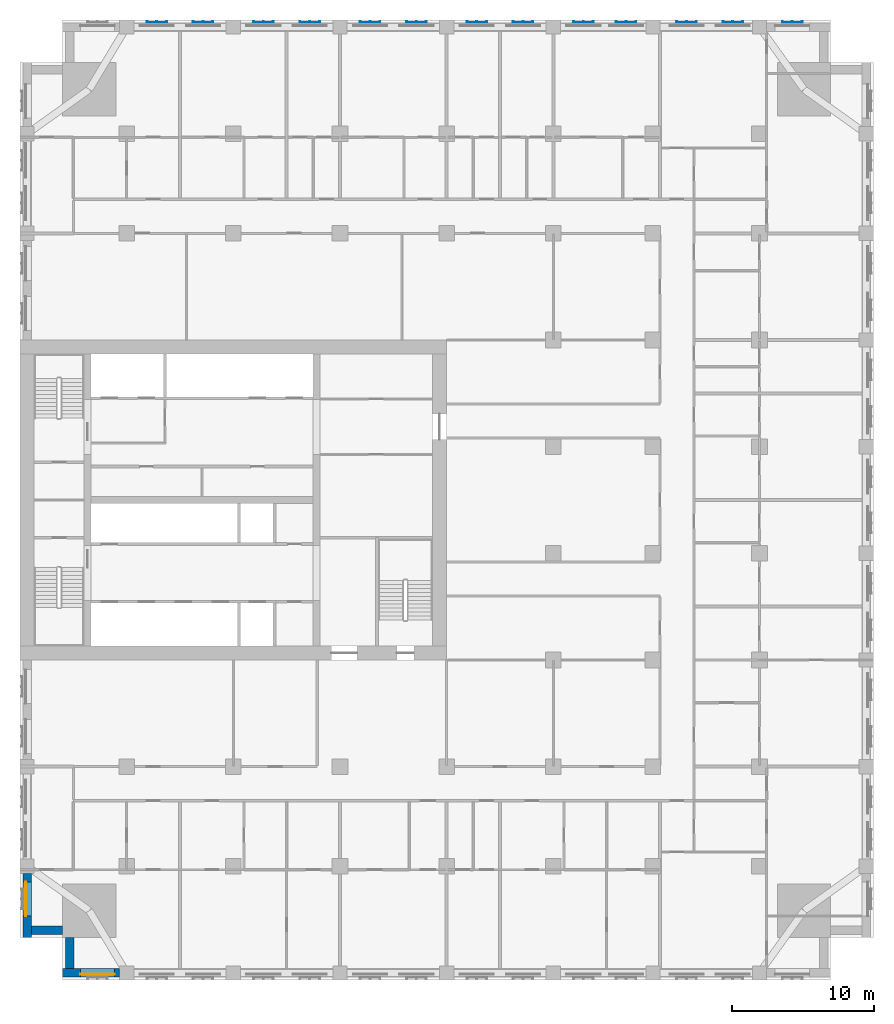
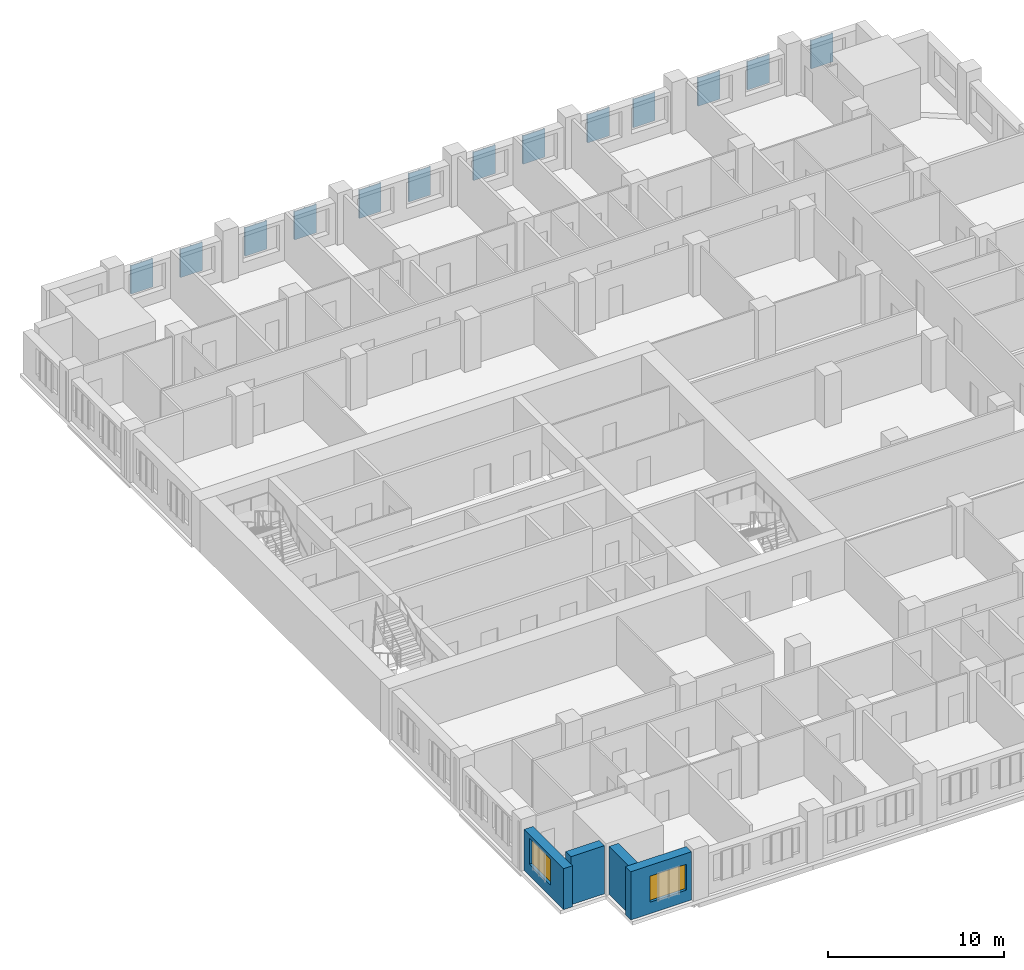
# One storey, part 3 of 14: 13 plates, 4 walls, 2 windows, 2 openings.
"""IFC4 building model written with IfcOpenShell, lengths in metres."""

from ifc_helpers import new_model, si_unit, direction, frame, frame_2d, origin, place, context, subcontext, project, spatial, polyline, rectangle, outline, extrude, material, layer, layer_set, type_object, element, fill, save


model = new_model("IFC4")

# Units and contexts
model_context = context("Model", 3, precision=1e-05, world=origin(), true_north=direction((0.0, 1.0)))
body_context = subcontext(model_context, "Body", "Model", "MODEL_VIEW")
ifc_project = project(units=[si_unit("LENGTHUNIT", "METRE"), si_unit("AREAUNIT", "SQUARE_METRE"), si_unit("VOLUMEUNIT", "CUBIC_METRE"), si_unit("PLANEANGLEUNIT", "RADIAN"), si_unit("MASSUNIT", "GRAM", prefix="KILO")], contexts=[model_context])

# Site, building, storey
site_placement = place(None, origin())
site = spatial("IfcSite", under=ifc_project, at=site_placement, CompositionType="ELEMENT")
building_placement = place(site_placement, origin())
building = spatial("IfcBuilding", under=site, at=building_placement, Name="Tamorin Gate", CompositionType="ELEMENT")
storey_placement = place(building_placement, frame((0.0, 0.0, 107.89990234375)))
storey = spatial("IfcBuildingStorey", under=building, at=storey_placement, Name="L26", CompositionType="ELEMENT", Elevation=107.89990234375)

# Plates
ifc_material_1 = material(Name="Perforated pale aluminium sheet", Category="aluminium")
ifc_layer_1 = layer(ifc_material_1, 0.0400390625)
ifc_layer_set_1 = layer_set([ifc_layer_1], Name="Pale metal solar screen 1440")
plate_type = type_object("IfcPlateType", Name="Pale metal solar screen 1440", PredefinedType="SHEET", material=ifc_layer_set_1)
plate_1_placement = place(storey_placement, frame((0.0, 0.0, 0.710205078125)))
element("IfcPlate", 1, at=plate_1_placement, inside=storey, type_object=plate_type, Name="Perforated solar screen", PredefinedType="SHEET", context=body_context, shape_type="SweptSolid", body=[
    extrude(outline(polyline([(85.02001953125, 104.840087890625), (85.02001953125, 104.800048828125), (84.9599609375, 104.800048828125), (84.330078125, 104.800048828125), (84.27001953125, 104.800048828125), (83.639892578125, 104.800048828125), (83.580078125, 104.800048828125), (83.580078125, 104.840087890625), (83.580078125, 104.89990234375), (83.639892578125, 104.89990234375), (83.639892578125, 104.840087890625), (84.27001953125, 104.840087890625), (84.27001953125, 104.89990234375), (84.330078125, 104.89990234375), (84.330078125, 104.840087890625), (84.9599609375, 104.840087890625), (84.9599609375, 104.89990234375), (85.02001953125, 104.89990234375), (85.02001953125, 104.840087890625)])), origin(), (0.0, 0.0, 1.0), 1.97998046875),
])
plate_2_placement = place(storey_placement, frame((0.0, 0.0, 0.710205078125)))
element("IfcPlate", 2, at=plate_2_placement, inside=storey, type_object=plate_type, Name="Perforated solar screen", PredefinedType="SHEET", context=body_context, shape_type="SweptSolid", body=[
    extrude(outline(polyline([(77.594970703125, 104.840087890625), (77.594970703125, 104.800048828125), (77.534912109375, 104.800048828125), (76.905029296875, 104.800048828125), (76.844970703125, 104.800048828125), (76.215087890625, 104.800048828125), (76.155029296875, 104.800048828125), (76.155029296875, 104.840087890625), (76.155029296875, 104.89990234375), (76.215087890625, 104.89990234375), (76.215087890625, 104.840087890625), (76.844970703125, 104.840087890625), (76.844970703125, 104.89990234375), (76.905029296875, 104.89990234375), (76.905029296875, 104.840087890625), (77.534912109375, 104.840087890625), (77.534912109375, 104.89990234375), (77.594970703125, 104.89990234375), (77.594970703125, 104.840087890625)])), origin(), (0.0, 0.0, 1.0), 1.97998046875),
])
plate_3_placement = place(storey_placement, frame((0.0, 0.0, 0.710205078125)))
element("IfcPlate", 3, at=plate_3_placement, inside=storey, type_object=plate_type, Name="Perforated solar screen", PredefinedType="SHEET", context=body_context, shape_type="SweptSolid", body=[
    extrude(outline(polyline([(80.844970703125, 104.840087890625), (80.844970703125, 104.800048828125), (80.784912109375, 104.800048828125), (80.155029296875, 104.800048828125), (80.094970703125, 104.800048828125), (79.465087890625, 104.800048828125), (79.405029296875, 104.800048828125), (79.405029296875, 104.800048828125), (79.405029296875, 104.840087890625), (79.405029296875, 104.840087890625), (79.405029296875, 104.89990234375), (79.465087890625, 104.89990234375), (79.465087890625, 104.840087890625), (80.094970703125, 104.840087890625), (80.094970703125, 104.89990234375), (80.155029296875, 104.89990234375), (80.155029296875, 104.840087890625), (80.784912109375, 104.840087890625), (80.784912109375, 104.89990234375), (80.844970703125, 104.89990234375), (80.844970703125, 104.840087890625)])), origin(), (0.0, 0.0, 1.0), 1.97998046875),
])
plate_4_placement = place(storey_placement, frame((0.0, 0.0, 0.710205078125)))
element("IfcPlate", 4, at=plate_4_placement, inside=storey, type_object=plate_type, Name="Perforated solar screen", PredefinedType="SHEET", context=body_context, shape_type="SweptSolid", body=[
    extrude(outline(polyline([(70.344970703125, 104.840087890625), (70.344970703125, 104.800048828125), (70.284912109375, 104.800048828125), (69.655029296875, 104.800048828125), (69.594970703125, 104.800048828125), (68.965087890625, 104.800048828125), (68.905029296875, 104.800048828125), (68.905029296875, 104.840087890625), (68.905029296875, 104.89990234375), (68.965087890625, 104.89990234375), (68.965087890625, 104.840087890625), (69.594970703125, 104.840087890625), (69.594970703125, 104.89990234375), (69.655029296875, 104.89990234375), (69.655029296875, 104.840087890625), (70.284912109375, 104.840087890625), (70.284912109375, 104.89990234375), (70.344970703125, 104.89990234375), (70.344970703125, 104.840087890625)])), origin(), (0.0, 0.0, 1.0), 1.97998046875),
])
plate_5_placement = place(storey_placement, frame((0.0, 0.0, 0.710205078125)))
element("IfcPlate", 5, at=plate_5_placement, inside=storey, type_object=plate_type, Name="Perforated solar screen", PredefinedType="SHEET", context=body_context, shape_type="SweptSolid", body=[
    extrude(outline(polyline([(73.344970703125, 104.840087890625), (73.344970703125, 104.800048828125), (73.284912109375, 104.800048828125), (72.655029296875, 104.800048828125), (72.594970703125, 104.800048828125), (71.965087890625, 104.800048828125), (71.905029296875, 104.800048828125), (71.905029296875, 104.840087890625), (71.905029296875, 104.89990234375), (71.965087890625, 104.89990234375), (71.965087890625, 104.840087890625), (72.594970703125, 104.840087890625), (72.594970703125, 104.89990234375), (72.655029296875, 104.89990234375), (72.655029296875, 104.840087890625), (73.284912109375, 104.840087890625), (73.284912109375, 104.89990234375), (73.344970703125, 104.89990234375), (73.344970703125, 104.840087890625)])), origin(), (0.0, 0.0, 1.0), 1.97998046875),
])
plate_6_placement = place(storey_placement, frame((0.0, 0.0, 0.710205078125)))
element("IfcPlate", 6, at=plate_6_placement, inside=storey, type_object=plate_type, Name="Perforated solar screen", PredefinedType="SHEET", context=body_context, shape_type="SweptSolid", body=[
    extrude(outline(polyline([(62.844970703125, 104.840087890625), (62.844970703125, 104.800048828125), (62.784912109375, 104.800048828125), (62.155029296875, 104.800048828125), (62.094970703125, 104.800048828125), (61.465087890625, 104.800048828125), (61.405029296875, 104.800048828125), (61.405029296875, 104.840087890625), (61.405029296875, 104.89990234375), (61.465087890625, 104.89990234375), (61.465087890625, 104.840087890625), (62.094970703125, 104.840087890625), (62.094970703125, 104.89990234375), (62.155029296875, 104.89990234375), (62.155029296875, 104.840087890625), (62.784912109375, 104.840087890625), (62.784912109375, 104.89990234375), (62.844970703125, 104.89990234375), (62.844970703125, 104.840087890625)])), origin(), (0.0, 0.0, 1.0), 1.97998046875),
])
plate_7_placement = place(storey_placement, frame((0.0, 0.0, 0.710205078125)))
element("IfcPlate", 7, at=plate_7_placement, inside=storey, type_object=plate_type, Name="Perforated solar screen", PredefinedType="SHEET", context=body_context, shape_type="SweptSolid", body=[
    extrude(outline(polyline([(66.094970703125, 104.840087890625), (66.094970703125, 104.800048828125), (66.034912109375, 104.800048828125), (65.405029296875, 104.800048828125), (65.344970703125, 104.800048828125), (64.715087890625, 104.800048828125), (64.655029296875, 104.800048828125), (64.655029296875, 104.840087890625), (64.655029296875, 104.89990234375), (64.715087890625, 104.89990234375), (64.715087890625, 104.840087890625), (65.344970703125, 104.840087890625), (65.344970703125, 104.89990234375), (65.405029296875, 104.89990234375), (65.405029296875, 104.840087890625), (66.034912109375, 104.840087890625), (66.034912109375, 104.89990234375), (66.094970703125, 104.89990234375), (66.094970703125, 104.840087890625)])), origin(), (0.0, 0.0, 1.0), 1.97998046875),
])
plate_8_placement = place(storey_placement, frame((0.0, 0.0, 0.710205078125)))
element("IfcPlate", 8, at=plate_8_placement, inside=storey, type_object=plate_type, Name="Perforated solar screen", PredefinedType="SHEET", context=body_context, shape_type="SweptSolid", body=[
    extrude(outline(polyline([(55.344970703125, 104.840087890625), (55.344970703125, 104.800048828125), (55.284912109375, 104.800048828125), (54.655029296875, 104.800048828125), (54.594970703125, 104.800048828125), (53.965087890625, 104.800048828125), (53.905029296875, 104.800048828125), (53.905029296875, 104.840087890625), (53.905029296875, 104.89990234375), (53.965087890625, 104.89990234375), (53.965087890625, 104.840087890625), (54.594970703125, 104.840087890625), (54.594970703125, 104.89990234375), (54.655029296875, 104.89990234375), (54.655029296875, 104.840087890625), (55.284912109375, 104.840087890625), (55.284912109375, 104.89990234375), (55.344970703125, 104.89990234375), (55.344970703125, 104.840087890625)])), origin(), (0.0, 0.0, 1.0), 1.97998046875),
])
plate_9_placement = place(storey_placement, frame((0.0, 0.0, 0.710205078125)))
element("IfcPlate", 9, at=plate_9_placement, inside=storey, type_object=plate_type, Name="Perforated solar screen", PredefinedType="SHEET", context=body_context, shape_type="SweptSolid", body=[
    extrude(outline(polyline([(58.594970703125, 104.840087890625), (58.594970703125, 104.800048828125), (58.534912109375, 104.800048828125), (57.905029296875, 104.800048828125), (57.844970703125, 104.800048828125), (57.215087890625, 104.800048828125), (57.155029296875, 104.800048828125), (57.155029296875, 104.840087890625), (57.155029296875, 104.89990234375), (57.215087890625, 104.89990234375), (57.215087890625, 104.840087890625), (57.844970703125, 104.840087890625), (57.844970703125, 104.89990234375), (57.905029296875, 104.89990234375), (57.905029296875, 104.840087890625), (58.534912109375, 104.840087890625), (58.534912109375, 104.89990234375), (58.594970703125, 104.89990234375), (58.594970703125, 104.840087890625)])), origin(), (0.0, 0.0, 1.0), 1.97998046875),
])
plate_10_placement = place(storey_placement, frame((0.0, 0.0, 0.710205078125)))
element("IfcPlate", 10, at=plate_10_placement, inside=storey, type_object=plate_type, Name="Perforated solar screen", PredefinedType="SHEET", context=body_context, shape_type="SweptSolid", body=[
    extrude(outline(polyline([(47.844970703125, 104.840087890625), (47.844970703125, 104.800048828125), (47.784912109375, 104.800048828125), (47.155029296875, 104.800048828125), (47.094970703125, 104.800048828125), (46.465087890625, 104.800048828125), (46.405029296875, 104.800048828125), (46.405029296875, 104.840087890625), (46.405029296875, 104.89990234375), (46.465087890625, 104.89990234375), (46.465087890625, 104.840087890625), (47.094970703125, 104.840087890625), (47.094970703125, 104.89990234375), (47.155029296875, 104.89990234375), (47.155029296875, 104.840087890625), (47.784912109375, 104.840087890625), (47.784912109375, 104.89990234375), (47.844970703125, 104.89990234375), (47.844970703125, 104.840087890625)])), origin(), (0.0, 0.0, 1.0), 1.97998046875),
])
plate_11_placement = place(storey_placement, frame((0.0, 0.0, 0.710205078125)))
element("IfcPlate", 11, at=plate_11_placement, inside=storey, type_object=plate_type, Name="Perforated solar screen", PredefinedType="SHEET", context=body_context, shape_type="SweptSolid", body=[
    extrude(outline(polyline([(51.094970703125, 104.840087890625), (51.094970703125, 104.800048828125), (51.034912109375, 104.800048828125), (50.405029296875, 104.800048828125), (50.344970703125, 104.800048828125), (49.715087890625, 104.800048828125), (49.655029296875, 104.800048828125), (49.655029296875, 104.840087890625), (49.655029296875, 104.89990234375), (49.715087890625, 104.89990234375), (49.715087890625, 104.840087890625), (50.344970703125, 104.840087890625), (50.344970703125, 104.89990234375), (50.405029296875, 104.89990234375), (50.405029296875, 104.840087890625), (51.034912109375, 104.840087890625), (51.034912109375, 104.89990234375), (51.094970703125, 104.89990234375), (51.094970703125, 104.840087890625)])), origin(), (0.0, 0.0, 1.0), 1.97998046875),
])
plate_12_placement = place(storey_placement, frame((0.0, 0.0, 0.710205078125)))
element("IfcPlate", 12, at=plate_12_placement, inside=storey, type_object=plate_type, Name="Perforated solar screen", PredefinedType="SHEET", context=body_context, shape_type="SweptSolid", body=[
    extrude(outline(polyline([(40.344970703125, 104.840087890625), (40.344970703125, 104.800048828125), (40.284912109375, 104.800048828125), (39.655029296875, 104.800048828125), (39.594970703125, 104.800048828125), (38.965087890625, 104.800048828125), (38.905029296875, 104.800048828125), (38.905029296875, 104.840087890625), (38.905029296875, 104.89990234375), (38.965087890625, 104.89990234375), (38.965087890625, 104.840087890625), (39.594970703125, 104.840087890625), (39.594970703125, 104.89990234375), (39.655029296875, 104.89990234375), (39.655029296875, 104.840087890625), (40.284912109375, 104.840087890625), (40.284912109375, 104.89990234375), (40.344970703125, 104.89990234375), (40.344970703125, 104.840087890625)])), origin(), (0.0, 0.0, 1.0), 1.97998046875),
])
plate_13_placement = place(storey_placement, frame((0.0, 0.0, 0.710205078125)))
element("IfcPlate", 13, at=plate_13_placement, inside=storey, type_object=plate_type, Name="Perforated solar screen", PredefinedType="SHEET", context=body_context, shape_type="SweptSolid", body=[
    extrude(outline(polyline([(43.594970703125, 104.840087890625), (43.594970703125, 104.800048828125), (43.534912109375, 104.800048828125), (42.905029296875, 104.800048828125), (42.844970703125, 104.800048828125), (42.215087890625, 104.800048828125), (42.155029296875, 104.800048828125), (42.155029296875, 104.840087890625), (42.155029296875, 104.89990234375), (42.215087890625, 104.89990234375), (42.215087890625, 104.840087890625), (42.844970703125, 104.840087890625), (42.844970703125, 104.89990234375), (42.905029296875, 104.89990234375), (42.905029296875, 104.840087890625), (43.534912109375, 104.840087890625), (43.534912109375, 104.89990234375), (43.594970703125, 104.89990234375), (43.594970703125, 104.840087890625)])), origin(), (0.0, 0.0, 1.0), 1.97998046875),
])

# Wall, opening, window
ifc_material_2 = material(Name="Precast concrete C40/50", Category="concrete")
ifc_layer_2 = layer(ifc_material_2, 0.60009765625)
ifc_layer_set_2 = layer_set([ifc_layer_2], Name="Precast concrete C40/50")
wall_type = type_object("IfcWallType", Name="Board-marked concrete facade panel 600", PredefinedType="SOLIDWALL", material=ifc_layer_set_2)
wall_1_placement = place(storey_placement, frame((33.0, 38.0, 0.0), z_axis=(0.0, 0.0, 1.0), x_axis=(1.0, 0.0, 0.0)))
wall_1 = element("IfcWall", 14, at=wall_1_placement, inside=storey, type_object=wall_type, Name="Facade panel", PredefinedType="SOLIDWALL", context=body_context, shape_type="SweptSolid", body=[
    extrude(rectangle(XDim=4.0, YDim=0.60009765625, at=frame_2d((2.0, 0.0))), origin(), (0.0, 0.0, 1.0), 3.35009765625),
])
opening_1_placement = place(wall_1_placement, frame((1.25, 0.0, 0.800048828125)))
opening_1 = element("IfcOpeningElement", 15, at=opening_1_placement, cuts=wall_1, Name="Opening WN1", PredefinedType="OPENING", context=body_context, shape_type="SweptSolid", body=[
    extrude(rectangle(XDim=2.39990234375, YDim=1.800048828125, at=frame_2d((1.199951171875, 0.89990234375))), frame((0.0, 0.31005859375, 0.0), z_axis=(0.0, -1.0, 0.0), x_axis=(1.0, 0.0, 0.0)), (0.0, 0.0, 1.0), 0.6201171875),
])
ifc_material_3 = material(Name="Clear glass in aluminium frame", Category="aluminium")
window_type = type_object("IfcWindowType", Name="Deep-set window 2400x1800", PartitioningType="SINGLE_PANEL", PredefinedType="WINDOW", material=ifc_material_3)
window_1_placement = place(opening_1_placement, origin())
window_1 = element("IfcWindow", 16, at=window_1_placement, inside=storey, type_object=window_type, Name="Deep-set window", OverallHeight=1.800048828125, OverallWidth=2.39990234375, PartitioningType="SINGLE_PANEL", PredefinedType="WINDOW", context=body_context, shape_type="SweptSolid", body=[
    extrude(rectangle(XDim=2.39990234375, YDim=1.800048828125, at=frame_2d((1.199951171875, 0.89990234375))), frame((0.0, -0.070068359375, 0.0), z_axis=(0.0, -1.0, 0.0), x_axis=(1.0, 0.0, 0.0)), (0.0, 0.0, 1.0), 0.06005859375),
])
fill(opening_1, window_1)

wall_2_placement = place(storey_placement, frame((30.5, 45.0, 0.0), z_axis=(0.0, 0.0, 1.0), x_axis=(0.0, -1.0, 0.0)))
wall_2 = element("IfcWall", 17, at=wall_2_placement, inside=storey, type_object=wall_type, Name="Facade panel", PredefinedType="SOLIDWALL", context=body_context, shape_type="SweptSolid", body=[
    extrude(rectangle(XDim=4.5, YDim=0.60009765625, at=frame_2d((2.25, 0.0))), origin(), (0.0, 0.0, 1.0), 2.85009765625),
])
opening_2_placement = place(wall_2_placement, frame((0.60009765625, 0.0, 0.800048828125)))
opening_2 = element("IfcOpeningElement", 18, at=opening_2_placement, cuts=wall_2, Name="Opening WN1", PredefinedType="OPENING", context=body_context, shape_type="SweptSolid", body=[
    extrude(rectangle(XDim=2.39990234375, YDim=1.800048828125, at=frame_2d((1.199951171875, 0.89990234375))), frame((0.0, 0.31005859375, 0.0), z_axis=(0.0, -1.0, 0.0), x_axis=(1.0, 0.0, 0.0)), (0.0, 0.0, 1.0), 0.6201171875),
])
window_2_placement = place(opening_2_placement, origin())
window_2 = element("IfcWindow", 19, at=window_2_placement, inside=storey, type_object=window_type, Name="Deep-set window", OverallHeight=1.800048828125, OverallWidth=2.39990234375, PartitioningType="SINGLE_PANEL", PredefinedType="WINDOW", context=body_context, shape_type="SweptSolid", body=[
    extrude(rectangle(XDim=2.39990234375, YDim=1.800048828125, at=frame_2d((1.199951171875, 0.89990234375))), frame((0.0, -0.070068359375, 0.0), z_axis=(0.0, -1.0, 0.0), x_axis=(1.0, 0.0, 0.0)), (0.0, 0.0, 1.0), 0.06005859375),
])
fill(opening_2, window_2)

# Walls
for number, where, z_axis, x_axis, name in (
    (20, (30.800048828125, 41.0, 0.0), (0.0, 0.0, 1.0), (1.0, 0.0, 0.0), "Facade panel"),
    (21, (33.5, 40.5, 0.0), (0.0, 0.0, 1.0), (0.0, -1.0, 0.0), "Facade panel"),
):
    element("IfcWall", number, at=place(storey_placement, frame(where, z_axis=z_axis, x_axis=x_axis)), inside=storey, type_object=wall_type, Name=name, PredefinedType="SOLIDWALL", context=body_context, shape_type="SweptSolid", body=[
        extrude(rectangle(XDim=2.199951171875, YDim=0.60009765625, at=frame_2d((1.10009765625, 0.0))), origin(), (0.0, 0.0, 1.0), 3.35009765625),
    ])

save(model, "model.ifc")
